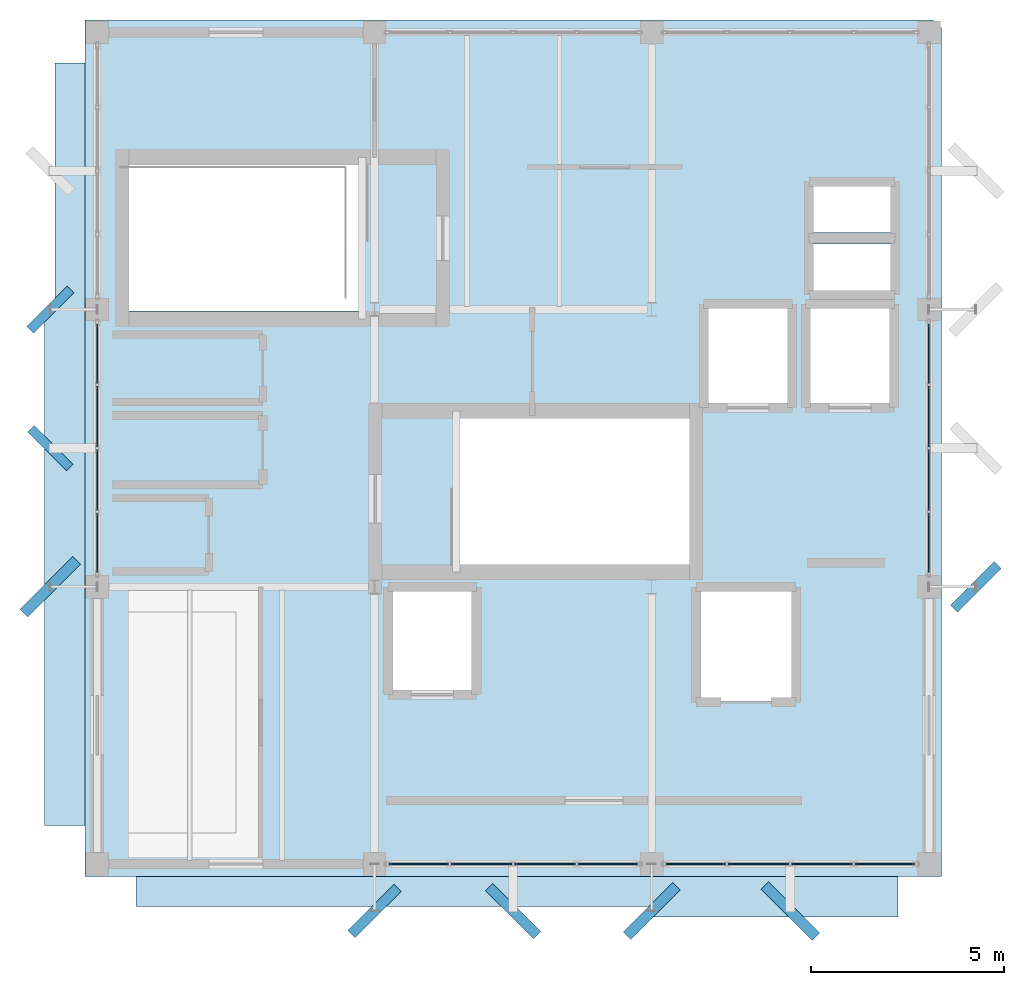
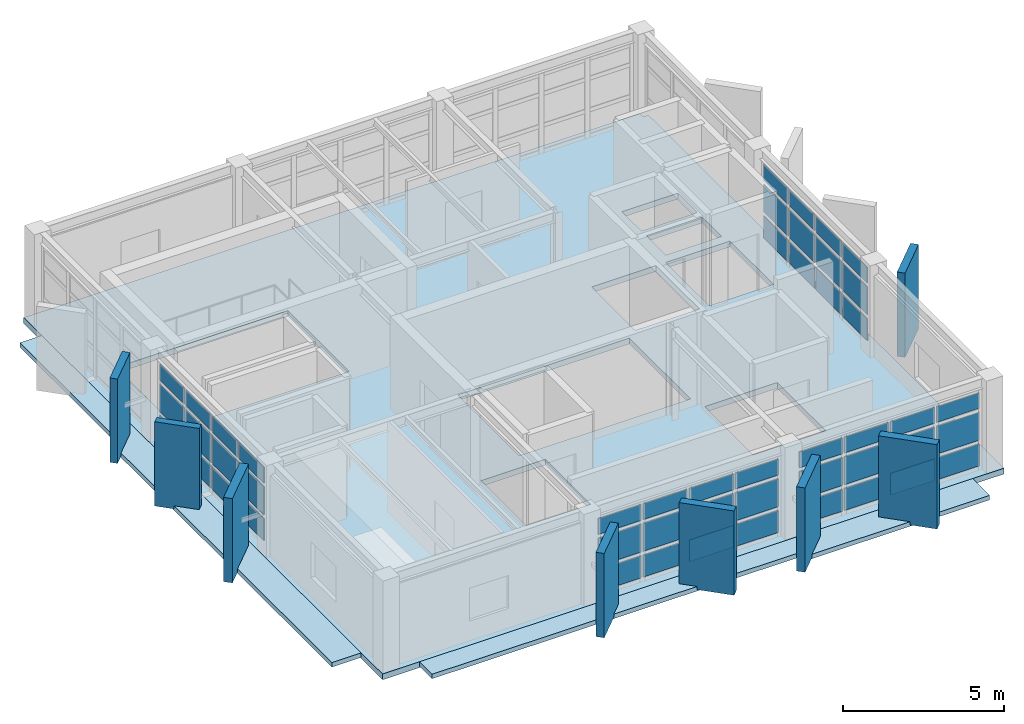
# One storey, part 7 of 13: 56 plates, 3 slabs, 4 elements without a shape of their own.
"""IFC4 building model written with IfcOpenShell, lengths in metres."""

from ifc_helpers import new_model, si_unit, direction, frame, origin, origin_2d, place, context, subcontext, project, spatial, polyline, rectangle, outline, extrude, material, layer, layer_set, type_object, element, aggregate, save


model = new_model("IFC4")

# Units and contexts
model_context = context("Model", 3, precision=1e-05, world=origin(), true_north=direction((0.0, 1.0)))
body_context = subcontext(model_context, "Body", "Model", "MODEL_VIEW")
ifc_project = project(units=[si_unit("LENGTHUNIT", "METRE"), si_unit("AREAUNIT", "SQUARE_METRE"), si_unit("VOLUMEUNIT", "CUBIC_METRE"), si_unit("PLANEANGLEUNIT", "RADIAN"), si_unit("MASSUNIT", "GRAM", prefix="KILO")], contexts=[model_context])

# Site, building, storey
site_placement = place(None, origin())
site = spatial("IfcSite", under=ifc_project, at=site_placement, CompositionType="ELEMENT")
building_placement = place(site_placement, origin())
building = spatial("IfcBuilding", under=site, at=building_placement, Name="Kandorven Conservatory and Botanical Research Centre", CompositionType="ELEMENT")
storey_placement = place(building_placement, frame((0.0, 0.0, 63.14990234375)))
storey = spatial("IfcBuildingStorey", under=building, at=storey_placement, Name="L16", CompositionType="ELEMENT", Elevation=63.14990234375)

# Curtain wall, plates
ifc_material_1 = material(Name="Bronze anodised thermally broken aluminium", Category="aluminium")
ifc_layer_1 = layer(ifc_material_1, 0.179931640625)
ifc_layer_set_1 = layer_set([ifc_layer_1], Name="Bronze anodised thermally broken aluminium")
curtain_wall_type = type_object("IfcCurtainWallType", Name="CW_Unitised", PredefinedType="USERDEFINED", material=ifc_layer_set_1)
curtain_wall_1_placement = place(storey_placement, origin())
curtain_wall_1 = element("IfcCurtainWall", 1, at=curtain_wall_1_placement, inside=storey, type_object=curtain_wall_type, Name="Tower laboratory curtain wall CW-TWR-S-L16-2", ObjectType="UNITISED GLAZING", PredefinedType="USERDEFINED")
ifc_material_2 = material(Name="Double-glazed solar-control low-E glass", Category="glass")
ifc_layer_2 = layer(ifc_material_2, 0.028076171875)
ifc_layer_set_2 = layer_set([ifc_layer_2], Name="Double-glazed solar-control low-E glass")
plate_type_1 = type_object("IfcPlateType", Name="CW_Panel", PredefinedType="CURTAIN_PANEL", material=ifc_layer_set_2)
plate_1_placement = place(storey_placement, frame((14.344970703125, 6.0, 0.14990234375), z_axis=(0.0, 0.0, 1.0), x_axis=(1.0, 0.0, 0.0)))
plate_1 = element("IfcPlate", 2, at=plate_1_placement, type_object=plate_type_1, Name="CW-01 panel 1.1", PredefinedType="CURTAIN_PANEL", context=body_context, shape_type="SweptSolid", body=[
    extrude(rectangle(XDim=1.530029296875, YDim=0.028076171875, at=origin_2d()), origin(), (0.0, 0.0, 1.0), 0.824951171875),
])
plate_2_placement = place(storey_placement, frame((14.344970703125, 6.0, 1.125), z_axis=(0.0, 0.0, 1.0), x_axis=(1.0, 0.0, 0.0)))
plate_2 = element("IfcPlate", 3, at=plate_2_placement, type_object=plate_type_1, Name="CW-01 panel 1.2", PredefinedType="CURTAIN_PANEL", context=body_context, shape_type="SweptSolid", body=[
    extrude(rectangle(XDim=1.530029296875, YDim=0.028076171875, at=origin_2d()), origin(), (0.0, 0.0, 1.0), 1.050048828125),
])
plate_3_placement = place(storey_placement, frame((14.344970703125, 6.0, 2.3251953125), z_axis=(0.0, 0.0, 1.0), x_axis=(1.0, 0.0, 0.0)))
plate_3 = element("IfcPlate", 4, at=plate_3_placement, type_object=plate_type_1, Name="CW-01 panel 1.3", PredefinedType="CURTAIN_PANEL", context=body_context, shape_type="SweptSolid", body=[
    extrude(rectangle(XDim=1.530029296875, YDim=0.028076171875, at=origin_2d()), origin(), (0.0, 0.0, 1.0), 0.594970703125),
])
plate_4_placement = place(storey_placement, frame((15.97509765625, 6.0, 0.14990234375), z_axis=(0.0, 0.0, 1.0), x_axis=(1.0, 0.0, 0.0)))
plate_4 = element("IfcPlate", 5, at=plate_4_placement, type_object=plate_type_1, Name="CW-01 panel 2.1", PredefinedType="CURTAIN_PANEL", context=body_context, shape_type="SweptSolid", body=[
    extrude(rectangle(XDim=1.570068359375, YDim=0.028076171875, at=origin_2d()), origin(), (0.0, 0.0, 1.0), 0.824951171875),
])
plate_5_placement = place(storey_placement, frame((15.97509765625, 6.0, 1.125), z_axis=(0.0, 0.0, 1.0), x_axis=(1.0, 0.0, 0.0)))
plate_5 = element("IfcPlate", 6, at=plate_5_placement, type_object=plate_type_1, Name="CW-01 panel 2.2", PredefinedType="CURTAIN_PANEL", context=body_context, shape_type="SweptSolid", body=[
    extrude(rectangle(XDim=1.570068359375, YDim=0.028076171875, at=origin_2d()), origin(), (0.0, 0.0, 1.0), 1.050048828125),
])
plate_6_placement = place(storey_placement, frame((15.97509765625, 6.0, 2.3251953125), z_axis=(0.0, 0.0, 1.0), x_axis=(1.0, 0.0, 0.0)))
plate_6 = element("IfcPlate", 7, at=plate_6_placement, type_object=plate_type_1, Name="CW-01 panel 2.3", PredefinedType="CURTAIN_PANEL", context=body_context, shape_type="SweptSolid", body=[
    extrude(rectangle(XDim=1.570068359375, YDim=0.028076171875, at=origin_2d()), origin(), (0.0, 0.0, 1.0), 0.594970703125),
])
plate_7_placement = place(storey_placement, frame((17.625, 6.0, 0.14990234375), z_axis=(0.0, 0.0, 1.0), x_axis=(1.0, 0.0, 0.0)))
plate_7 = element("IfcPlate", 8, at=plate_7_placement, type_object=plate_type_1, Name="CW-01 panel 3.1", PredefinedType="CURTAIN_PANEL", context=body_context, shape_type="SweptSolid", body=[
    extrude(rectangle(XDim=1.570068359375, YDim=0.028076171875, at=origin_2d()), origin(), (0.0, 0.0, 1.0), 0.824951171875),
])
plate_8_placement = place(storey_placement, frame((17.625, 6.0, 1.125), z_axis=(0.0, 0.0, 1.0), x_axis=(1.0, 0.0, 0.0)))
plate_8 = element("IfcPlate", 9, at=plate_8_placement, type_object=plate_type_1, Name="CW-01 panel 3.2", PredefinedType="CURTAIN_PANEL", context=body_context, shape_type="SweptSolid", body=[
    extrude(rectangle(XDim=1.570068359375, YDim=0.028076171875, at=origin_2d()), origin(), (0.0, 0.0, 1.0), 1.050048828125),
])
plate_9_placement = place(storey_placement, frame((17.625, 6.0, 2.3251953125), z_axis=(0.0, 0.0, 1.0), x_axis=(1.0, 0.0, 0.0)))
plate_9 = element("IfcPlate", 10, at=plate_9_placement, type_object=plate_type_1, Name="CW-01 panel 3.3", PredefinedType="CURTAIN_PANEL", context=body_context, shape_type="SweptSolid", body=[
    extrude(rectangle(XDim=1.570068359375, YDim=0.028076171875, at=origin_2d()), origin(), (0.0, 0.0, 1.0), 0.594970703125),
])
plate_10_placement = place(storey_placement, frame((19.2548828125, 6.0, 0.14990234375), z_axis=(0.0, 0.0, 1.0), x_axis=(1.0, 0.0, 0.0)))
plate_10 = element("IfcPlate", 11, at=plate_10_placement, type_object=plate_type_1, Name="CW-01 panel 4.1", PredefinedType="CURTAIN_PANEL", context=body_context, shape_type="SweptSolid", body=[
    extrude(rectangle(XDim=1.530029296875, YDim=0.028076171875, at=origin_2d()), origin(), (0.0, 0.0, 1.0), 0.824951171875),
])
plate_11_placement = place(storey_placement, frame((19.2548828125, 6.0, 1.125), z_axis=(0.0, 0.0, 1.0), x_axis=(1.0, 0.0, 0.0)))
plate_11 = element("IfcPlate", 12, at=plate_11_placement, type_object=plate_type_1, Name="CW-01 panel 4.2", PredefinedType="CURTAIN_PANEL", context=body_context, shape_type="SweptSolid", body=[
    extrude(rectangle(XDim=1.530029296875, YDim=0.028076171875, at=origin_2d()), origin(), (0.0, 0.0, 1.0), 1.050048828125),
])
plate_12_placement = place(storey_placement, frame((19.2548828125, 6.0, 2.3251953125), z_axis=(0.0, 0.0, 1.0), x_axis=(1.0, 0.0, 0.0)))
plate_12 = element("IfcPlate", 13, at=plate_12_placement, type_object=plate_type_1, Name="CW-01 panel 4.3", PredefinedType="CURTAIN_PANEL", context=body_context, shape_type="SweptSolid", body=[
    extrude(rectangle(XDim=1.530029296875, YDim=0.028076171875, at=origin_2d()), origin(), (0.0, 0.0, 1.0), 0.594970703125),
])
aggregate(curtain_wall_1, [plate_1, plate_2, plate_3, plate_4, plate_5, plate_6, plate_7, plate_8, plate_9, plate_10, plate_11, plate_12])

curtain_wall_2_placement = place(storey_placement, origin())
curtain_wall_2 = element("IfcCurtainWall", 14, at=curtain_wall_2_placement, inside=storey, type_object=curtain_wall_type, Name="Tower laboratory curtain wall CW-TWR-S-L16-3", ObjectType="UNITISED GLAZING", PredefinedType="USERDEFINED")
plate_13_placement = place(storey_placement, frame((21.544921875, 6.0, 0.14990234375), z_axis=(0.0, 0.0, 1.0), x_axis=(1.0, 0.0, 0.0)))
plate_13 = element("IfcPlate", 15, at=plate_13_placement, type_object=plate_type_1, Name="CW-01 panel 1.1", PredefinedType="CURTAIN_PANEL", context=body_context, shape_type="SweptSolid", body=[
    extrude(rectangle(XDim=1.530029296875, YDim=0.028076171875, at=origin_2d()), origin(), (0.0, 0.0, 1.0), 0.824951171875),
])
plate_14_placement = place(storey_placement, frame((21.544921875, 6.0, 1.125), z_axis=(0.0, 0.0, 1.0), x_axis=(1.0, 0.0, 0.0)))
plate_14 = element("IfcPlate", 16, at=plate_14_placement, type_object=plate_type_1, Name="CW-01 panel 1.2", PredefinedType="CURTAIN_PANEL", context=body_context, shape_type="SweptSolid", body=[
    extrude(rectangle(XDim=1.530029296875, YDim=0.028076171875, at=origin_2d()), origin(), (0.0, 0.0, 1.0), 1.050048828125),
])
plate_15_placement = place(storey_placement, frame((21.544921875, 6.0, 2.3251953125), z_axis=(0.0, 0.0, 1.0), x_axis=(1.0, 0.0, 0.0)))
plate_15 = element("IfcPlate", 17, at=plate_15_placement, type_object=plate_type_1, Name="CW-01 panel 1.3", PredefinedType="CURTAIN_PANEL", context=body_context, shape_type="SweptSolid", body=[
    extrude(rectangle(XDim=1.530029296875, YDim=0.028076171875, at=origin_2d()), origin(), (0.0, 0.0, 1.0), 0.594970703125),
])
plate_16_placement = place(storey_placement, frame((23.175048828125, 6.0, 0.14990234375), z_axis=(0.0, 0.0, 1.0), x_axis=(1.0, 0.0, 0.0)))
plate_16 = element("IfcPlate", 18, at=plate_16_placement, type_object=plate_type_1, Name="CW-01 panel 2.1", PredefinedType="CURTAIN_PANEL", context=body_context, shape_type="SweptSolid", body=[
    extrude(rectangle(XDim=1.570068359375, YDim=0.028076171875, at=origin_2d()), origin(), (0.0, 0.0, 1.0), 0.824951171875),
])
plate_17_placement = place(storey_placement, frame((23.175048828125, 6.0, 1.125), z_axis=(0.0, 0.0, 1.0), x_axis=(1.0, 0.0, 0.0)))
plate_17 = element("IfcPlate", 19, at=plate_17_placement, type_object=plate_type_1, Name="CW-01 panel 2.2", PredefinedType="CURTAIN_PANEL", context=body_context, shape_type="SweptSolid", body=[
    extrude(rectangle(XDim=1.570068359375, YDim=0.028076171875, at=origin_2d()), origin(), (0.0, 0.0, 1.0), 1.050048828125),
])
plate_18_placement = place(storey_placement, frame((23.175048828125, 6.0, 2.3251953125), z_axis=(0.0, 0.0, 1.0), x_axis=(1.0, 0.0, 0.0)))
plate_18 = element("IfcPlate", 20, at=plate_18_placement, type_object=plate_type_1, Name="CW-01 panel 2.3", PredefinedType="CURTAIN_PANEL", context=body_context, shape_type="SweptSolid", body=[
    extrude(rectangle(XDim=1.570068359375, YDim=0.028076171875, at=origin_2d()), origin(), (0.0, 0.0, 1.0), 0.594970703125),
])
plate_19_placement = place(storey_placement, frame((24.824951171875, 6.0, 0.14990234375), z_axis=(0.0, 0.0, 1.0), x_axis=(1.0, 0.0, 0.0)))
plate_19 = element("IfcPlate", 21, at=plate_19_placement, type_object=plate_type_1, Name="CW-01 panel 3.1", PredefinedType="CURTAIN_PANEL", context=body_context, shape_type="SweptSolid", body=[
    extrude(rectangle(XDim=1.570068359375, YDim=0.028076171875, at=origin_2d()), origin(), (0.0, 0.0, 1.0), 0.824951171875),
])
plate_20_placement = place(storey_placement, frame((24.824951171875, 6.0, 1.125), z_axis=(0.0, 0.0, 1.0), x_axis=(1.0, 0.0, 0.0)))
plate_20 = element("IfcPlate", 22, at=plate_20_placement, type_object=plate_type_1, Name="CW-01 panel 3.2", PredefinedType="CURTAIN_PANEL", context=body_context, shape_type="SweptSolid", body=[
    extrude(rectangle(XDim=1.570068359375, YDim=0.028076171875, at=origin_2d()), origin(), (0.0, 0.0, 1.0), 1.050048828125),
])
plate_21_placement = place(storey_placement, frame((24.824951171875, 6.0, 2.3251953125), z_axis=(0.0, 0.0, 1.0), x_axis=(1.0, 0.0, 0.0)))
plate_21 = element("IfcPlate", 23, at=plate_21_placement, type_object=plate_type_1, Name="CW-01 panel 3.3", PredefinedType="CURTAIN_PANEL", context=body_context, shape_type="SweptSolid", body=[
    extrude(rectangle(XDim=1.570068359375, YDim=0.028076171875, at=origin_2d()), origin(), (0.0, 0.0, 1.0), 0.594970703125),
])
plate_22_placement = place(storey_placement, frame((26.455078125, 6.0, 0.14990234375), z_axis=(0.0, 0.0, 1.0), x_axis=(1.0, 0.0, 0.0)))
plate_22 = element("IfcPlate", 24, at=plate_22_placement, type_object=plate_type_1, Name="CW-01 panel 4.1", PredefinedType="CURTAIN_PANEL", context=body_context, shape_type="SweptSolid", body=[
    extrude(rectangle(XDim=1.530029296875, YDim=0.028076171875, at=origin_2d()), origin(), (0.0, 0.0, 1.0), 0.824951171875),
])
plate_23_placement = place(storey_placement, frame((26.455078125, 6.0, 1.125), z_axis=(0.0, 0.0, 1.0), x_axis=(1.0, 0.0, 0.0)))
plate_23 = element("IfcPlate", 25, at=plate_23_placement, type_object=plate_type_1, Name="CW-01 panel 4.2", PredefinedType="CURTAIN_PANEL", context=body_context, shape_type="SweptSolid", body=[
    extrude(rectangle(XDim=1.530029296875, YDim=0.028076171875, at=origin_2d()), origin(), (0.0, 0.0, 1.0), 1.050048828125),
])
plate_24_placement = place(storey_placement, frame((26.455078125, 6.0, 2.3251953125), z_axis=(0.0, 0.0, 1.0), x_axis=(1.0, 0.0, 0.0)))
plate_24 = element("IfcPlate", 26, at=plate_24_placement, type_object=plate_type_1, Name="CW-01 panel 4.3", PredefinedType="CURTAIN_PANEL", context=body_context, shape_type="SweptSolid", body=[
    extrude(rectangle(XDim=1.530029296875, YDim=0.028076171875, at=origin_2d()), origin(), (0.0, 0.0, 1.0), 0.594970703125),
])
aggregate(curtain_wall_2, [plate_13, plate_14, plate_15, plate_16, plate_17, plate_18, plate_19, plate_20, plate_21, plate_22, plate_23, plate_24])

curtain_wall_3_placement = place(storey_placement, origin())
curtain_wall_3 = element("IfcCurtainWall", 27, at=curtain_wall_3_placement, inside=storey, type_object=curtain_wall_type, Name="Tower laboratory curtain wall CW-TWR-W-L16-2", ObjectType="UNITISED GLAZING", PredefinedType="USERDEFINED")
plate_25_placement = place(storey_placement, frame((6.0, 14.344970703125, 0.14990234375), z_axis=(0.0, 0.0, 1.0), x_axis=(0.0, 1.0, 0.0)))
plate_25 = element("IfcPlate", 28, at=plate_25_placement, type_object=plate_type_1, Name="CW-01 panel 1.1", PredefinedType="CURTAIN_PANEL", context=body_context, shape_type="SweptSolid", body=[
    extrude(rectangle(XDim=1.530029296875, YDim=0.028076171875, at=origin_2d()), origin(), (0.0, 0.0, 1.0), 0.824951171875),
])
plate_26_placement = place(storey_placement, frame((6.0, 14.344970703125, 1.125), z_axis=(0.0, 0.0, 1.0), x_axis=(0.0, 1.0, 0.0)))
plate_26 = element("IfcPlate", 29, at=plate_26_placement, type_object=plate_type_1, Name="CW-01 panel 1.2", PredefinedType="CURTAIN_PANEL", context=body_context, shape_type="SweptSolid", body=[
    extrude(rectangle(XDim=1.530029296875, YDim=0.028076171875, at=origin_2d()), origin(), (0.0, 0.0, 1.0), 1.050048828125),
])
plate_27_placement = place(storey_placement, frame((6.0, 14.344970703125, 2.3251953125), z_axis=(0.0, 0.0, 1.0), x_axis=(0.0, 1.0, 0.0)))
plate_27 = element("IfcPlate", 30, at=plate_27_placement, type_object=plate_type_1, Name="CW-01 panel 1.3", PredefinedType="CURTAIN_PANEL", context=body_context, shape_type="SweptSolid", body=[
    extrude(rectangle(XDim=1.530029296875, YDim=0.028076171875, at=origin_2d()), origin(), (0.0, 0.0, 1.0), 0.594970703125),
])
plate_28_placement = place(storey_placement, frame((6.0, 15.97509765625, 0.14990234375), z_axis=(0.0, 0.0, 1.0), x_axis=(0.0, 1.0, 0.0)))
plate_28 = element("IfcPlate", 31, at=plate_28_placement, type_object=plate_type_1, Name="CW-01 panel 2.1", PredefinedType="CURTAIN_PANEL", context=body_context, shape_type="SweptSolid", body=[
    extrude(rectangle(XDim=1.570068359375, YDim=0.028076171875, at=origin_2d()), origin(), (0.0, 0.0, 1.0), 0.824951171875),
])
plate_29_placement = place(storey_placement, frame((6.0, 15.97509765625, 1.125), z_axis=(0.0, 0.0, 1.0), x_axis=(0.0, 1.0, 0.0)))
plate_29 = element("IfcPlate", 32, at=plate_29_placement, type_object=plate_type_1, Name="CW-01 panel 2.2", PredefinedType="CURTAIN_PANEL", context=body_context, shape_type="SweptSolid", body=[
    extrude(rectangle(XDim=1.570068359375, YDim=0.028076171875, at=origin_2d()), origin(), (0.0, 0.0, 1.0), 1.050048828125),
])
plate_30_placement = place(storey_placement, frame((6.0, 15.97509765625, 2.3251953125), z_axis=(0.0, 0.0, 1.0), x_axis=(0.0, 1.0, 0.0)))
plate_30 = element("IfcPlate", 33, at=plate_30_placement, type_object=plate_type_1, Name="CW-01 panel 2.3", PredefinedType="CURTAIN_PANEL", context=body_context, shape_type="SweptSolid", body=[
    extrude(rectangle(XDim=1.570068359375, YDim=0.028076171875, at=origin_2d()), origin(), (0.0, 0.0, 1.0), 0.594970703125),
])
plate_31_placement = place(storey_placement, frame((6.0, 17.625, 0.14990234375), z_axis=(0.0, 0.0, 1.0), x_axis=(0.0, 1.0, 0.0)))
plate_31 = element("IfcPlate", 34, at=plate_31_placement, type_object=plate_type_1, Name="CW-01 panel 3.1", PredefinedType="CURTAIN_PANEL", context=body_context, shape_type="SweptSolid", body=[
    extrude(rectangle(XDim=1.570068359375, YDim=0.028076171875, at=origin_2d()), origin(), (0.0, 0.0, 1.0), 0.824951171875),
])
plate_32_placement = place(storey_placement, frame((6.0, 17.625, 1.125), z_axis=(0.0, 0.0, 1.0), x_axis=(0.0, 1.0, 0.0)))
plate_32 = element("IfcPlate", 35, at=plate_32_placement, type_object=plate_type_1, Name="CW-01 panel 3.2", PredefinedType="CURTAIN_PANEL", context=body_context, shape_type="SweptSolid", body=[
    extrude(rectangle(XDim=1.570068359375, YDim=0.028076171875, at=origin_2d()), origin(), (0.0, 0.0, 1.0), 1.050048828125),
])
plate_33_placement = place(storey_placement, frame((6.0, 17.625, 2.3251953125), z_axis=(0.0, 0.0, 1.0), x_axis=(0.0, 1.0, 0.0)))
plate_33 = element("IfcPlate", 36, at=plate_33_placement, type_object=plate_type_1, Name="CW-01 panel 3.3", PredefinedType="CURTAIN_PANEL", context=body_context, shape_type="SweptSolid", body=[
    extrude(rectangle(XDim=1.570068359375, YDim=0.028076171875, at=origin_2d()), origin(), (0.0, 0.0, 1.0), 0.594970703125),
])
plate_34_placement = place(storey_placement, frame((6.0, 19.2548828125, 0.14990234375), z_axis=(0.0, 0.0, 1.0), x_axis=(0.0, 1.0, 0.0)))
plate_34 = element("IfcPlate", 37, at=plate_34_placement, type_object=plate_type_1, Name="CW-01 panel 4.1", PredefinedType="CURTAIN_PANEL", context=body_context, shape_type="SweptSolid", body=[
    extrude(rectangle(XDim=1.530029296875, YDim=0.028076171875, at=origin_2d()), origin(), (0.0, 0.0, 1.0), 0.824951171875),
])
plate_35_placement = place(storey_placement, frame((6.0, 19.2548828125, 1.125), z_axis=(0.0, 0.0, 1.0), x_axis=(0.0, 1.0, 0.0)))
plate_35 = element("IfcPlate", 38, at=plate_35_placement, type_object=plate_type_1, Name="CW-01 panel 4.2", PredefinedType="CURTAIN_PANEL", context=body_context, shape_type="SweptSolid", body=[
    extrude(rectangle(XDim=1.530029296875, YDim=0.028076171875, at=origin_2d()), origin(), (0.0, 0.0, 1.0), 1.050048828125),
])
plate_36_placement = place(storey_placement, frame((6.0, 19.2548828125, 2.3251953125), z_axis=(0.0, 0.0, 1.0), x_axis=(0.0, 1.0, 0.0)))
plate_36 = element("IfcPlate", 39, at=plate_36_placement, type_object=plate_type_1, Name="CW-01 panel 4.3", PredefinedType="CURTAIN_PANEL", context=body_context, shape_type="SweptSolid", body=[
    extrude(rectangle(XDim=1.530029296875, YDim=0.028076171875, at=origin_2d()), origin(), (0.0, 0.0, 1.0), 0.594970703125),
])
aggregate(curtain_wall_3, [plate_25, plate_26, plate_27, plate_28, plate_29, plate_30, plate_31, plate_32, plate_33, plate_34, plate_35, plate_36])

curtain_wall_4_placement = place(storey_placement, origin())
curtain_wall_4 = element("IfcCurtainWall", 40, at=curtain_wall_4_placement, inside=storey, type_object=curtain_wall_type, Name="Tower laboratory curtain wall CW-TWR-E-L16-2", ObjectType="UNITISED GLAZING", PredefinedType="USERDEFINED")
plate_37_placement = place(storey_placement, frame((27.60009765625, 14.344970703125, 0.14990234375), z_axis=(0.0, 0.0, 1.0), x_axis=(0.0, 1.0, 0.0)))
plate_37 = element("IfcPlate", 41, at=plate_37_placement, type_object=plate_type_1, Name="CW-01 panel 1.1", PredefinedType="CURTAIN_PANEL", context=body_context, shape_type="SweptSolid", body=[
    extrude(rectangle(XDim=1.530029296875, YDim=0.028076171875, at=origin_2d()), origin(), (0.0, 0.0, 1.0), 0.824951171875),
])
plate_38_placement = place(storey_placement, frame((27.60009765625, 14.344970703125, 1.125), z_axis=(0.0, 0.0, 1.0), x_axis=(0.0, 1.0, 0.0)))
plate_38 = element("IfcPlate", 42, at=plate_38_placement, type_object=plate_type_1, Name="CW-01 panel 1.2", PredefinedType="CURTAIN_PANEL", context=body_context, shape_type="SweptSolid", body=[
    extrude(rectangle(XDim=1.530029296875, YDim=0.028076171875, at=origin_2d()), origin(), (0.0, 0.0, 1.0), 1.050048828125),
])
plate_39_placement = place(storey_placement, frame((27.60009765625, 14.344970703125, 2.3251953125), z_axis=(0.0, 0.0, 1.0), x_axis=(0.0, 1.0, 0.0)))
plate_39 = element("IfcPlate", 43, at=plate_39_placement, type_object=plate_type_1, Name="CW-01 panel 1.3", PredefinedType="CURTAIN_PANEL", context=body_context, shape_type="SweptSolid", body=[
    extrude(rectangle(XDim=1.530029296875, YDim=0.028076171875, at=origin_2d()), origin(), (0.0, 0.0, 1.0), 0.594970703125),
])
plate_40_placement = place(storey_placement, frame((27.60009765625, 15.97509765625, 0.14990234375), z_axis=(0.0, 0.0, 1.0), x_axis=(0.0, 1.0, 0.0)))
plate_40 = element("IfcPlate", 44, at=plate_40_placement, type_object=plate_type_1, Name="CW-01 panel 2.1", PredefinedType="CURTAIN_PANEL", context=body_context, shape_type="SweptSolid", body=[
    extrude(rectangle(XDim=1.570068359375, YDim=0.028076171875, at=origin_2d()), origin(), (0.0, 0.0, 1.0), 0.824951171875),
])
plate_41_placement = place(storey_placement, frame((27.60009765625, 15.97509765625, 1.125), z_axis=(0.0, 0.0, 1.0), x_axis=(0.0, 1.0, 0.0)))
plate_41 = element("IfcPlate", 45, at=plate_41_placement, type_object=plate_type_1, Name="CW-01 panel 2.2", PredefinedType="CURTAIN_PANEL", context=body_context, shape_type="SweptSolid", body=[
    extrude(rectangle(XDim=1.570068359375, YDim=0.028076171875, at=origin_2d()), origin(), (0.0, 0.0, 1.0), 1.050048828125),
])
plate_42_placement = place(storey_placement, frame((27.60009765625, 15.97509765625, 2.3251953125), z_axis=(0.0, 0.0, 1.0), x_axis=(0.0, 1.0, 0.0)))
plate_42 = element("IfcPlate", 46, at=plate_42_placement, type_object=plate_type_1, Name="CW-01 panel 2.3", PredefinedType="CURTAIN_PANEL", context=body_context, shape_type="SweptSolid", body=[
    extrude(rectangle(XDim=1.570068359375, YDim=0.028076171875, at=origin_2d()), origin(), (0.0, 0.0, 1.0), 0.594970703125),
])
plate_43_placement = place(storey_placement, frame((27.60009765625, 17.625, 0.14990234375), z_axis=(0.0, 0.0, 1.0), x_axis=(0.0, 1.0, 0.0)))
plate_43 = element("IfcPlate", 47, at=plate_43_placement, type_object=plate_type_1, Name="CW-01 panel 3.1", PredefinedType="CURTAIN_PANEL", context=body_context, shape_type="SweptSolid", body=[
    extrude(rectangle(XDim=1.570068359375, YDim=0.028076171875, at=origin_2d()), origin(), (0.0, 0.0, 1.0), 0.824951171875),
])
plate_44_placement = place(storey_placement, frame((27.60009765625, 17.625, 1.125), z_axis=(0.0, 0.0, 1.0), x_axis=(0.0, 1.0, 0.0)))
plate_44 = element("IfcPlate", 48, at=plate_44_placement, type_object=plate_type_1, Name="CW-01 panel 3.2", PredefinedType="CURTAIN_PANEL", context=body_context, shape_type="SweptSolid", body=[
    extrude(rectangle(XDim=1.570068359375, YDim=0.028076171875, at=origin_2d()), origin(), (0.0, 0.0, 1.0), 1.050048828125),
])
plate_45_placement = place(storey_placement, frame((27.60009765625, 17.625, 2.3251953125), z_axis=(0.0, 0.0, 1.0), x_axis=(0.0, 1.0, 0.0)))
plate_45 = element("IfcPlate", 49, at=plate_45_placement, type_object=plate_type_1, Name="CW-01 panel 3.3", PredefinedType="CURTAIN_PANEL", context=body_context, shape_type="SweptSolid", body=[
    extrude(rectangle(XDim=1.570068359375, YDim=0.028076171875, at=origin_2d()), origin(), (0.0, 0.0, 1.0), 0.594970703125),
])
plate_46_placement = place(storey_placement, frame((27.60009765625, 19.2548828125, 0.14990234375), z_axis=(0.0, 0.0, 1.0), x_axis=(0.0, 1.0, 0.0)))
plate_46 = element("IfcPlate", 50, at=plate_46_placement, type_object=plate_type_1, Name="CW-01 panel 4.1", PredefinedType="CURTAIN_PANEL", context=body_context, shape_type="SweptSolid", body=[
    extrude(rectangle(XDim=1.530029296875, YDim=0.028076171875, at=origin_2d()), origin(), (0.0, 0.0, 1.0), 0.824951171875),
])
plate_47_placement = place(storey_placement, frame((27.60009765625, 19.2548828125, 1.125), z_axis=(0.0, 0.0, 1.0), x_axis=(0.0, 1.0, 0.0)))
plate_47 = element("IfcPlate", 51, at=plate_47_placement, type_object=plate_type_1, Name="CW-01 panel 4.2", PredefinedType="CURTAIN_PANEL", context=body_context, shape_type="SweptSolid", body=[
    extrude(rectangle(XDim=1.530029296875, YDim=0.028076171875, at=origin_2d()), origin(), (0.0, 0.0, 1.0), 1.050048828125),
])
plate_48_placement = place(storey_placement, frame((27.60009765625, 19.2548828125, 2.3251953125), z_axis=(0.0, 0.0, 1.0), x_axis=(0.0, 1.0, 0.0)))
plate_48 = element("IfcPlate", 52, at=plate_48_placement, type_object=plate_type_1, Name="CW-01 panel 4.3", PredefinedType="CURTAIN_PANEL", context=body_context, shape_type="SweptSolid", body=[
    extrude(rectangle(XDim=1.530029296875, YDim=0.028076171875, at=origin_2d()), origin(), (0.0, 0.0, 1.0), 0.594970703125),
])
aggregate(curtain_wall_4, [plate_37, plate_38, plate_39, plate_40, plate_41, plate_42, plate_43, plate_44, plate_45, plate_46, plate_47, plate_48])

# Plates
ifc_material_3 = material(Name="Precast concrete C40/50 (M50)", Category="concrete")
ifc_layer_3 = layer(ifc_material_3, 0.264892578125)
ifc_layer_set_3 = layer_set([ifc_layer_3], Name="Precast concrete C40/50 (M50)")
plate_type_2 = type_object("IfcPlateType", Name="Fin_BF-06", PredefinedType="USERDEFINED", material=ifc_layer_set_3)
plate_49_placement = place(storey_placement, frame((13.199951171875, 4.780029296875, -0.119873046875), z_axis=(0.0, 0.0, 1.0), x_axis=(0.707106781187, 0.707106781187, 0.0)))
element("IfcPlate", 53, at=plate_49_placement, inside=storey, type_object=plate_type_2, Name="Sculpted board-marked concrete brise-soleil fin BF-06", ObjectType="SOLAR FIN", PredefinedType="USERDEFINED", context=body_context, shape_type="SweptSolid", body=[
    extrude(rectangle(XDim=1.699951171875, YDim=0.264892578125, at=origin_2d()), origin(), (0.0, 0.0, 1.0), 3.18994140625),
])
ifc_material_4 = material(Name="Precast concrete C40/50 (M50)", Category="concrete")
ifc_layer_4 = layer(ifc_material_4, 0.27001953125)
ifc_layer_set_4 = layer_set([ifc_layer_4], Name="Precast concrete C40/50 (M50)")
plate_type_3 = type_object("IfcPlateType", Name="Fin_BF-07", PredefinedType="USERDEFINED", material=ifc_layer_set_4)
plate_50_placement = place(storey_placement, frame((16.800048828125, 4.780029296875, -0.119873046875), z_axis=(0.0, 0.0, 1.0), x_axis=(-0.707106781187, 0.707106781187, 0.0)))
element("IfcPlate", 54, at=plate_50_placement, inside=storey, type_object=plate_type_3, Name="Sculpted board-marked concrete brise-soleil fin BF-07", ObjectType="SOLAR FIN", PredefinedType="USERDEFINED", context=body_context, shape_type="SweptSolid", body=[
    extrude(rectangle(XDim=1.760009765625, YDim=0.27001953125, at=origin_2d()), origin(), (0.0, 0.0, 1.0), 3.18994140625),
])
ifc_material_5 = material(Name="Precast concrete C40/50 (M50)", Category="concrete")
ifc_layer_5 = layer(ifc_material_5, 0.27490234375)
ifc_layer_set_5 = layer_set([ifc_layer_5], Name="Precast concrete C40/50 (M50)")
plate_type_4 = type_object("IfcPlateType", Name="Fin_BF-08", PredefinedType="USERDEFINED", material=ifc_layer_set_5)
plate_51_placement = place(storey_placement, frame((20.39990234375, 4.780029296875, -0.119873046875), z_axis=(0.0, 0.0, 1.0), x_axis=(0.707106781187, 0.707106781187, 0.0)))
element("IfcPlate", 55, at=plate_51_placement, inside=storey, type_object=plate_type_4, Name="Sculpted board-marked concrete brise-soleil fin BF-08", ObjectType="SOLAR FIN", PredefinedType="USERDEFINED", context=body_context, shape_type="SweptSolid", body=[
    extrude(rectangle(XDim=1.820068359375, YDim=0.27490234375, at=origin_2d()), origin(), (0.0, 0.0, 1.0), 3.18994140625),
])
ifc_material_6 = material(Name="Precast concrete C40/50 (M50)", Category="concrete")
ifc_layer_6 = layer(ifc_material_6, 0.280029296875)
ifc_layer_set_6 = layer_set([ifc_layer_6], Name="Precast concrete C40/50 (M50)")
plate_type_5 = type_object("IfcPlateType", Name="Fin_BF-09", PredefinedType="USERDEFINED", material=ifc_layer_set_6)
plate_52_placement = place(storey_placement, frame((24.0, 4.780029296875, -0.119873046875), z_axis=(0.0, 0.0, 1.0), x_axis=(-0.707106781187, 0.707106781187, 0.0)))
element("IfcPlate", 56, at=plate_52_placement, inside=storey, type_object=plate_type_5, Name="Sculpted board-marked concrete brise-soleil fin BF-09", ObjectType="SOLAR FIN", PredefinedType="USERDEFINED", context=body_context, shape_type="SweptSolid", body=[
    extrude(rectangle(XDim=1.8798828125, YDim=0.280029296875, at=origin_2d()), origin(), (0.0, 0.0, 1.0), 3.18994140625),
])
ifc_material_7 = material(Name="Precast concrete C40/50 (M50)", Category="concrete")
ifc_layer_7 = layer(ifc_material_7, 0.284912109375)
ifc_layer_set_7 = layer_set([ifc_layer_7], Name="Precast concrete C40/50 (M50)")
plate_type_6 = type_object("IfcPlateType", Name="Fin_BF-10", PredefinedType="USERDEFINED", material=ifc_layer_set_7)
plate_53_placement = place(storey_placement, frame((4.780029296875, 13.199951171875, -0.119873046875), z_axis=(0.0, 0.0, 1.0), x_axis=(0.707106781187, 0.707106781187, 0.0)))
element("IfcPlate", 57, at=plate_53_placement, inside=storey, type_object=plate_type_6, Name="Sculpted board-marked concrete brise-soleil fin BF-10", ObjectType="SOLAR FIN", PredefinedType="USERDEFINED", context=body_context, shape_type="SweptSolid", body=[
    extrude(rectangle(XDim=1.93994140625, YDim=0.284912109375, at=origin_2d()), origin(), (0.0, 0.0, 1.0), 3.18994140625),
])
ifc_material_8 = material(Name="Precast concrete C40/50 (M50)", Category="concrete")
ifc_layer_8 = layer(ifc_material_8, 0.241943359375)
ifc_layer_set_8 = layer_set([ifc_layer_8], Name="Precast concrete C40/50 (M50)")
plate_type_7 = type_object("IfcPlateType", Name="Fin_BF-11", PredefinedType="USERDEFINED", material=ifc_layer_set_8)
plate_54_placement = place(storey_placement, frame((4.780029296875, 16.800048828125, -0.119873046875), z_axis=(0.0, 0.0, 1.0), x_axis=(-0.707106781187, 0.707106781187, 0.0)))
element("IfcPlate", 58, at=plate_54_placement, inside=storey, type_object=plate_type_7, Name="Sculpted board-marked concrete brise-soleil fin BF-11", ObjectType="SOLAR FIN", PredefinedType="USERDEFINED", context=body_context, shape_type="SweptSolid", body=[
    extrude(rectangle(XDim=1.429931640625, YDim=0.241943359375, at=origin_2d()), origin(), (0.0, 0.0, 1.0), 3.18994140625),
])
ifc_material_9 = material(Name="Precast concrete C40/50 (M50)", Category="concrete")
ifc_layer_9 = layer(ifc_material_9, 0.248046875)
ifc_layer_set_9 = layer_set([ifc_layer_9], Name="Precast concrete C40/50 (M50)")
plate_type_8 = type_object("IfcPlateType", Name="Fin_BF-12", PredefinedType="USERDEFINED", material=ifc_layer_set_9)
plate_55_placement = place(storey_placement, frame((4.780029296875, 20.39990234375, -0.119873046875), z_axis=(0.0, 0.0, 1.0), x_axis=(0.707106781187, 0.707106781187, 0.0)))
element("IfcPlate", 59, at=plate_55_placement, inside=storey, type_object=plate_type_8, Name="Sculpted board-marked concrete brise-soleil fin BF-12", ObjectType="SOLAR FIN", PredefinedType="USERDEFINED", context=body_context, shape_type="SweptSolid", body=[
    extrude(rectangle(XDim=1.489990234375, YDim=0.248046875, at=origin_2d()), origin(), (0.0, 0.0, 1.0), 3.18994140625),
])
ifc_material_10 = material(Name="Precast concrete C40/50 (M50)", Category="concrete")
ifc_layer_10 = layer(ifc_material_10, 0.256103515625)
ifc_layer_set_10 = layer_set([ifc_layer_10], Name="Precast concrete C40/50 (M50)")
plate_type_9 = type_object("IfcPlateType", Name="Fin_BF-14", PredefinedType="USERDEFINED", material=ifc_layer_set_10)
plate_56_placement = place(storey_placement, frame((28.820068359375, 13.199951171875, -0.119873046875), z_axis=(0.0, 0.0, 1.0), x_axis=(0.707106781187, 0.707106781187, 0.0)))
element("IfcPlate", 60, at=plate_56_placement, inside=storey, type_object=plate_type_9, Name="Sculpted board-marked concrete brise-soleil fin BF-14", ObjectType="SOLAR FIN", PredefinedType="USERDEFINED", context=body_context, shape_type="SweptSolid", body=[
    extrude(rectangle(XDim=1.610107421875, YDim=0.256103515625, at=origin_2d()), origin(), (0.0, 0.0, 1.0), 3.18994140625),
])

# Slabs
ifc_material_11 = material(Name="Concrete C32/40 (M40)", Category="concrete")
ifc_layer_11 = layer(ifc_material_11, 0.219970703125)
ifc_layer_set_11 = layer_set([ifc_layer_11], Name="Concrete C32/40 (M40)")
slab_type_1 = type_object("IfcSlabType", Name="Slab_SL-09", PredefinedType="FLOOR", material=ifc_layer_set_11)
slab_1_placement = place(storey_placement, frame((0.0, 0.0, -0.219970703125)))
element("IfcSlab", 61, at=slab_1_placement, inside=storey, type_object=slab_type_1, Name="Tower floor slab L16", PredefinedType="FLOOR", context=body_context, shape_type="SweptSolid", body=[
    extrude(outline(polyline([(5.679931640625, 5.679931640625), (27.919921875, 5.679931640625), (27.919921875, 27.719970703125), (27.719970703125, 27.719970703125), (27.719970703125, 27.919921875), (5.679931640625, 27.919921875), (5.679931640625, 5.679931640625)]), holes=[polyline([(15.239990234375, 13.780029296875), (21.3798828125, 13.780029296875), (21.3798828125, 17.570068359375), (15.239990234375, 17.570068359375), (15.239990234375, 13.780029296875)]), polyline([(12.9599609375, 24.14990234375), (6.820068359375, 24.14990234375), (6.820068359375, 20.360107421875), (12.9599609375, 20.360107421875), (12.9599609375, 24.14990234375)]), polyline([(21.75, 17.85009765625), (24.050048828125, 17.85009765625), (24.050048828125, 20.550048828125), (21.75, 20.550048828125), (21.75, 17.85009765625)]), polyline([(24.39990234375, 17.85009765625), (26.699951171875, 17.85009765625), (26.699951171875, 20.550048828125), (24.39990234375, 20.550048828125), (24.39990234375, 17.85009765625)]), polyline([(13.550048828125, 10.39990234375), (15.85009765625, 10.39990234375), (15.85009765625, 13.199951171875), (13.550048828125, 13.199951171875), (13.550048828125, 10.39990234375)]), polyline([(21.550048828125, 10.199951171875), (24.14990234375, 10.199951171875), (24.14990234375, 13.199951171875), (21.550048828125, 13.199951171875), (21.550048828125, 10.199951171875)]), polyline([(24.60009765625, 20.89990234375), (26.60009765625, 20.89990234375), (26.60009765625, 22.10009765625), (24.60009765625, 22.10009765625), (24.60009765625, 20.89990234375)]), polyline([(24.60009765625, 22.39990234375), (26.60009765625, 22.39990234375), (26.60009765625, 23.60009765625), (24.60009765625, 23.60009765625), (24.60009765625, 22.39990234375)])]), origin(), (0.0, 0.0, 1.0), 0.219970703125),
])
ifc_material_12 = material(Name="Concrete C32/40 (M40)", Category="concrete")
ifc_layer_12 = layer(ifc_material_12, 0.169921875)
ifc_layer_set_12 = layer_set([ifc_layer_12], Name="Concrete C32/40 (M40)")
slab_type_2 = type_object("IfcSlabType", Name="Slab_SL-13", PredefinedType="FLOOR", material=ifc_layer_set_12)
slab_2_placement = place(storey_placement, frame((0.0, 0.0, -0.169921875)))
element("IfcSlab", 62, at=slab_2_placement, inside=storey, type_object=slab_type_2, Name="Tower south sculpted concrete solar-hood slab L16", PredefinedType="FLOOR", context=body_context, shape_type="SweptSolid", body=[
    extrude(outline(polyline([(7.0, 5.679931640625), (26.800048828125, 5.679931640625), (26.800048828125, 4.6298828125), (20.39990234375, 4.6298828125), (20.39990234375, 4.89990234375), (7.0, 4.89990234375), (7.0, 5.679931640625)])), origin(), (0.0, 0.0, 1.0), 0.169921875),
])
slab_3_placement = place(storey_placement, frame((0.0, 0.0, -0.169921875)))
element("IfcSlab", 63, at=slab_3_placement, inside=storey, type_object=slab_type_2, Name="Tower west sculpted concrete solar-hood slab L16", PredefinedType="FLOOR", context=body_context, shape_type="SweptSolid", body=[
    extrude(outline(polyline([(4.6298828125, 7.0), (5.679931640625, 7.0), (5.679931640625, 26.800048828125), (4.89990234375, 26.800048828125), (4.89990234375, 20.39990234375), (4.6298828125, 20.39990234375), (4.6298828125, 7.0)])), origin(), (0.0, 0.0, 1.0), 0.169921875),
])

save(model, "model.ifc")
